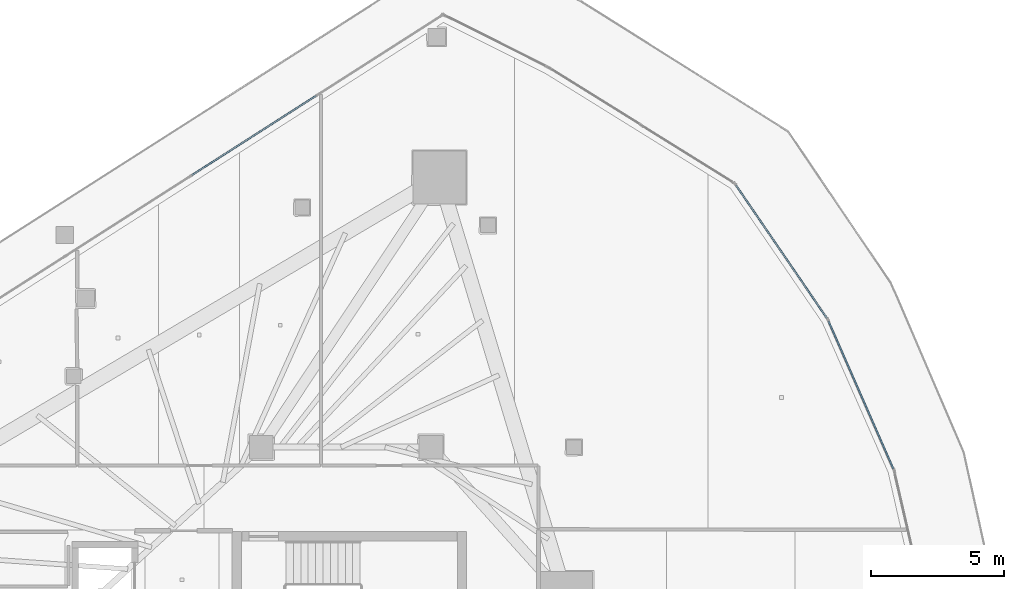
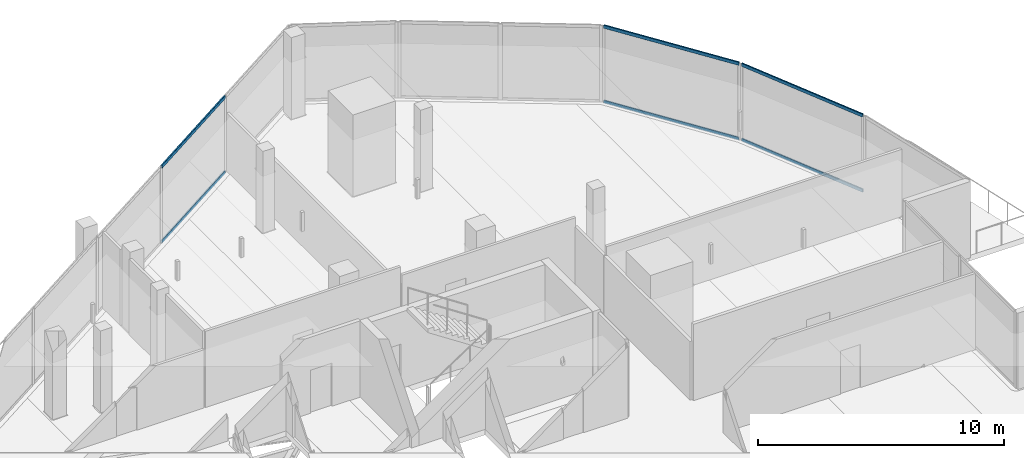
# One storey, part 21 of 37: 6 members, 3 elements without a shape of their own.
"""IFC4 building model written with IfcOpenShell, lengths in metres."""

from ifc_helpers import new_model, si_unit, direction, frame, origin, origin_2d, place, context, subcontext, project, spatial, hollow_rectangle, extrude, material, layer, layer_set, material_profile, profile_set, type_object, element, aggregate, save


model = new_model("IFC4")

# Units and contexts
model_context = context("Model", 3, precision=1e-05, world=origin(), true_north=direction((0.0, 1.0)))
body_context = subcontext(model_context, "Body", "Model", "MODEL_VIEW")
ifc_project = project(units=[si_unit("LENGTHUNIT", "METRE"), si_unit("AREAUNIT", "SQUARE_METRE"), si_unit("VOLUMEUNIT", "CUBIC_METRE"), si_unit("PLANEANGLEUNIT", "RADIAN"), si_unit("MASSUNIT", "GRAM", prefix="KILO")], contexts=[model_context])

# Site, building, storey
site_placement = place(None, origin())
site = spatial("IfcSite", under=ifc_project, at=site_placement, CompositionType="ELEMENT")
building_placement = place(site_placement, origin())
building = spatial("IfcBuilding", under=site, at=building_placement, Name="Qorvath Tower", CompositionType="ELEMENT")
storey_placement = place(building_placement, frame((0.0, 0.0, 196.949951171875)))
storey = spatial("IfcBuildingStorey", under=building, at=storey_placement, Name="L45", CompositionType="ELEMENT", Elevation=196.949951171875)

# Curtain wall, members
ifc_material_1 = material(Name="Anodised aluminium and triple low-E glass", Category="aluminium")
ifc_layer = layer(ifc_material_1, 0.179931640625)
ifc_layer_set = layer_set([ifc_layer], Name="CW-SYS-3")
curtain_wall_type = type_object("IfcCurtainWallType", Name="CW-SYS-3", PredefinedType="NOTDEFINED", material=ifc_layer_set)
curtain_wall_1_placement = place(storey_placement, origin())
curtain_wall_1 = element("IfcCurtainWall", 1, at=curtain_wall_1_placement, inside=storey, type_object=curtain_wall_type, Name="Curtain Wall CW-3 CW-T-L45-12.1", PredefinedType="NOTDEFINED")
ifc_material_2 = material(Name="Anodised aluminium 6063-T6", Category="aluminium")
ifc_material_profile = material_profile(ifc_material_2, hollow_rectangle(XDim=0.06494140625, YDim=0.159912109375, WallThickness=0.00341796875, InnerFilletRadius=0.00341796875, OuterFilletRadius=0.007080078125, at=origin_2d()), Name="CWT 160x65")
ifc_profile_set = profile_set([ifc_material_profile], Name="Anodised aluminium 6063-T6")
member_type = type_object("IfcMemberType", Name="CWT-160", PredefinedType="USERDEFINED", material=ifc_profile_set)
member_1_placement = place(storey_placement, frame((0.251708984375, 10.63330078125, 0.032470703125), z_axis=(-0.402337899002, 0.915491242463, 0.0), x_axis=(-0.915491242463, -0.402337899002, 0.0)))
member_1 = element("IfcMember", 2, at=member_1_placement, type_object=member_type, Name="CW-3 transom 1.1", ObjectType="TRANSOM", PredefinedType="USERDEFINED", context=body_context, shape_type="SweptSolid", body=[
    extrude(hollow_rectangle(XDim=0.06494140625, YDim=0.159912109375, WallThickness=0.00341796875, InnerFilletRadius=0.00341796875, OuterFilletRadius=0.007080078125, at=origin_2d()), origin(), (0.0, 0.0, 1.0), 6.0849609375),
])
member_2_placement = place(storey_placement, frame((0.251708984375, 10.63330078125, 3.74755859375), z_axis=(-0.402337899002, 0.915491242463, 0.0), x_axis=(-0.915491242463, -0.402337899002, 0.0)))
member_2 = element("IfcMember", 3, at=member_2_placement, type_object=member_type, Name="CW-3 transom 1.2", ObjectType="TRANSOM", PredefinedType="USERDEFINED", context=body_context, shape_type="SweptSolid", body=[
    extrude(hollow_rectangle(XDim=0.06494140625, YDim=0.159912109375, WallThickness=0.00341796875, InnerFilletRadius=0.00341796875, OuterFilletRadius=0.007080078125, at=origin_2d()), origin(), (0.0, 0.0, 1.0), 6.0849609375),
])
aggregate(curtain_wall_1, [member_1, member_2])

curtain_wall_2_placement = place(storey_placement, origin())
curtain_wall_2 = element("IfcCurtainWall", 4, at=curtain_wall_2_placement, inside=storey, type_object=curtain_wall_type, Name="Curtain Wall CW-3 CW-T-L45-13.1", PredefinedType="NOTDEFINED")
member_3_placement = place(storey_placement, frame((-2.25927734375, 16.3173828125, 0.032470703125), z_axis=(-0.564540077657, 0.825405658279, 0.0), x_axis=(-0.825405658279, -0.564540077657, 0.0)))
member_3 = element("IfcMember", 5, at=member_3_placement, type_object=member_type, Name="CW-3 transom 1.1", ObjectType="TRANSOM", PredefinedType="USERDEFINED", context=body_context, shape_type="SweptSolid", body=[
    extrude(hollow_rectangle(XDim=0.06494140625, YDim=0.159912109375, WallThickness=0.00341796875, InnerFilletRadius=0.00341796875, OuterFilletRadius=0.007080078125, at=origin_2d()), origin(), (0.0, 0.0, 1.0), 6.085205078125),
])
member_4_placement = place(storey_placement, frame((-2.25927734375, 16.3173828125, 3.74755859375), z_axis=(-0.564540077657, 0.825405658279, 0.0), x_axis=(-0.825405658279, -0.564540077657, 0.0)))
member_4 = element("IfcMember", 6, at=member_4_placement, type_object=member_type, Name="CW-3 transom 1.2", ObjectType="TRANSOM", PredefinedType="USERDEFINED", context=body_context, shape_type="SweptSolid", body=[
    extrude(hollow_rectangle(XDim=0.06494140625, YDim=0.159912109375, WallThickness=0.00341796875, InnerFilletRadius=0.00341796875, OuterFilletRadius=0.007080078125, at=origin_2d()), origin(), (0.0, 0.0, 1.0), 6.085205078125),
])
aggregate(curtain_wall_2, [member_3, member_4])

curtain_wall_3_placement = place(storey_placement, origin())
curtain_wall_3 = element("IfcCurtainWall", 7, at=curtain_wall_3_placement, inside=storey, type_object=curtain_wall_type, Name="Curtain Wall CW-3 CW-T-L45-16.1", PredefinedType="NOTDEFINED")
member_5_placement = place(storey_placement, frame((-21.522705078125, 24.716064453125, 0.032470703125), z_axis=(-0.842606844645, -0.538529205667, 0.0), x_axis=(0.538529205667, -0.842606844645, 0.0)))
member_5 = element("IfcMember", 8, at=member_5_placement, type_object=member_type, Name="CW-3 transom 2.1", ObjectType="TRANSOM", PredefinedType="USERDEFINED", context=body_context, shape_type="SweptSolid", body=[
    extrude(hollow_rectangle(XDim=0.06494140625, YDim=0.159912109375, WallThickness=0.00341796875, InnerFilletRadius=0.00341796875, OuterFilletRadius=0.007080078125, at=origin_2d()), origin(), (0.0, 0.0, 1.0), 5.5751953125),
])
member_6_placement = place(storey_placement, frame((-21.522705078125, 24.716064453125, 3.74755859375), z_axis=(-0.842606844645, -0.538529205667, 0.0), x_axis=(0.538529205667, -0.842606844645, 0.0)))
member_6 = element("IfcMember", 9, at=member_6_placement, type_object=member_type, Name="CW-3 transom 2.2", ObjectType="TRANSOM", PredefinedType="USERDEFINED", context=body_context, shape_type="SweptSolid", body=[
    extrude(hollow_rectangle(XDim=0.06494140625, YDim=0.159912109375, WallThickness=0.00341796875, InnerFilletRadius=0.00341796875, OuterFilletRadius=0.007080078125, at=origin_2d()), origin(), (0.0, 0.0, 1.0), 5.5751953125),
])
aggregate(curtain_wall_3, [member_5, member_6])

save(model, "model.ifc")
